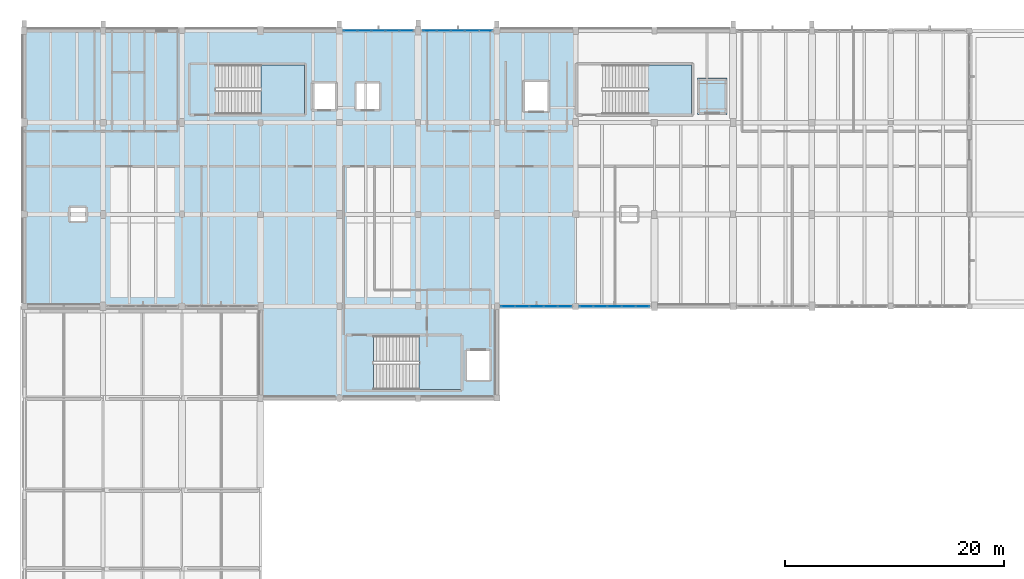
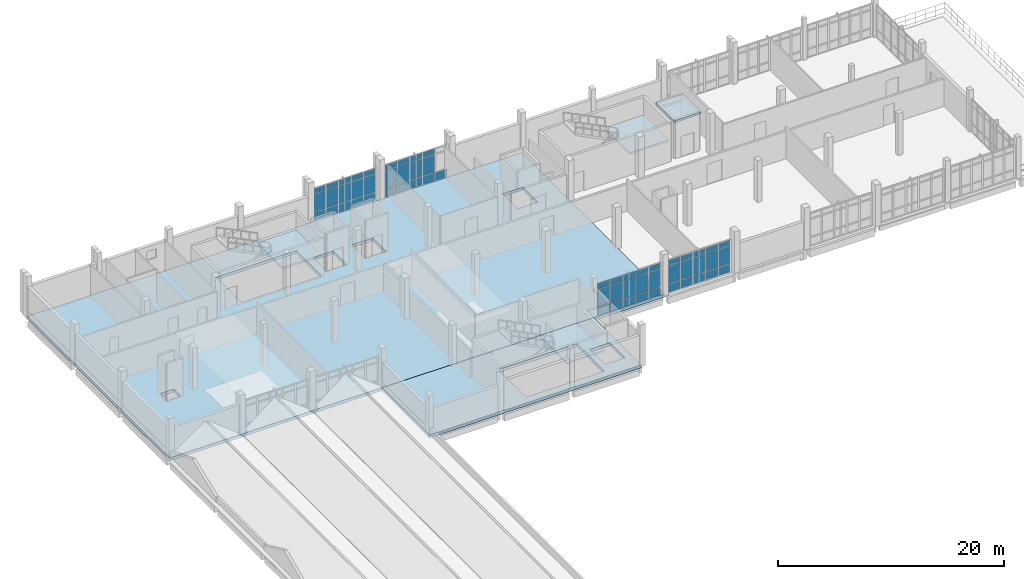
# One storey, part 28 of 41: 58 plates, 6 slabs, 7 elements without a shape of their own.
"""IFC4 building model written with IfcOpenShell, lengths in metres."""

from ifc_helpers import new_model, si_unit, direction, frame, origin, origin_2d, place, context, subcontext, project, spatial, polyline, rectangle, outline, extrude, material, layer, layer_set, type_object, element, aggregate, save


model = new_model("IFC4")

# Units and contexts
model_context = context("Model", 3, precision=1e-05, world=origin(), true_north=direction((0.0, 1.0)))
body_context = subcontext(model_context, "Body", "Model", "MODEL_VIEW")
ifc_project = project(units=[si_unit("LENGTHUNIT", "METRE"), si_unit("AREAUNIT", "SQUARE_METRE"), si_unit("VOLUMEUNIT", "CUBIC_METRE"), si_unit("PLANEANGLEUNIT", "RADIAN"), si_unit("MASSUNIT", "GRAM", prefix="KILO")], contexts=[model_context])

# Site, building, storey
site_placement = place(None, origin())
site = spatial("IfcSite", under=ifc_project, at=site_placement, CompositionType="ELEMENT")
building_placement = place(site_placement, origin())
building = spatial("IfcBuilding", under=site, at=building_placement, Name="Kalluvel Institute of Natural Sciences", CompositionType="ELEMENT")
storey_placement = place(building_placement, frame((0.0, 0.0, 32.39990234375)))
storey = spatial("IfcBuildingStorey", under=building, at=storey_placement, Name="L07", CompositionType="ELEMENT", Elevation=32.39990234375)

# Curtain wall, plates
ifc_material_1 = material(Name="Aluminium AW-6063 T6", Category="aluminium")
curtain_wall_type = type_object("IfcCurtainWallType", Name="CW-WET-45", PredefinedType="USERDEFINED", material=ifc_material_1)
curtain_wall_1_placement = place(storey_placement, origin())
curtain_wall_1 = element("IfcCurtainWall", 1, at=curtain_wall_1_placement, inside=storey, type_object=curtain_wall_type, Name="L07 Gothic lancet curtain wall CWA-L07-X432-Y1280", ObjectType="UNITISED LANCET FACADE", PredefinedType="USERDEFINED")
ifc_material_2 = material(Name="Solar-Control Low-E Laminated Glass", Category="glass")
ifc_layer_1 = layer(ifc_material_2, 0.031982421875)
ifc_layer_set_1 = layer_set([ifc_layer_1], Name="Solar-Control Low-E Laminated Glass")
plate_type = type_object("IfcPlateType", Name="CWP-DGU-32", PredefinedType="CURTAIN_PANEL", material=ifc_layer_set_1)
plate_1_placement = place(storey_placement, frame((43.808837890625, 128.0, 0.065185546875), z_axis=(0.0, 0.0, 1.0), x_axis=(1.0, 0.0, 0.0)))
plate_1 = element("IfcPlate", 2, at=plate_1_placement, type_object=plate_type, Name="CW-01 panel 1.1", PredefinedType="CURTAIN_PANEL", context=body_context, shape_type="SweptSolid", body=[
    extrude(rectangle(XDim=1.1875, YDim=0.031982421875, at=origin_2d()), origin(), (0.0, 0.0, 1.0), 0.8525390625),
])
plate_2_placement = place(storey_placement, frame((43.808837890625, 128.0, 0.982666015625), z_axis=(0.0, 0.0, 1.0), x_axis=(1.0, 0.0, 0.0)))
plate_2 = element("IfcPlate", 3, at=plate_2_placement, type_object=plate_type, Name="CW-01 panel 1.2", PredefinedType="CURTAIN_PANEL", context=body_context, shape_type="SweptSolid", body=[
    extrude(rectangle(XDim=1.1875, YDim=0.031982421875, at=origin_2d()), origin(), (0.0, 0.0, 1.0), 1.9150390625),
])
plate_3_placement = place(storey_placement, frame((43.808837890625, 128.0, 2.96240234375), z_axis=(0.0, 0.0, 1.0), x_axis=(1.0, 0.0, 0.0)))
plate_3 = element("IfcPlate", 4, at=plate_3_placement, type_object=plate_type, Name="CW-01 panel 1.3", PredefinedType="CURTAIN_PANEL", context=body_context, shape_type="SweptSolid", body=[
    extrude(rectangle(XDim=1.1875, YDim=0.031982421875, at=origin_2d()), origin(), (0.0, 0.0, 1.0), 0.552490234375),
])
plate_4_placement = place(storey_placement, frame((45.077392578125, 128.0, 0.065185546875), z_axis=(0.0, 0.0, 1.0), x_axis=(1.0, 0.0, 0.0)))
plate_4 = element("IfcPlate", 5, at=plate_4_placement, type_object=plate_type, Name="CW-01 panel 2.1", PredefinedType="CURTAIN_PANEL", context=body_context, shape_type="SweptSolid", body=[
    extrude(rectangle(XDim=1.219970703125, YDim=0.031982421875, at=origin_2d()), origin(), (0.0, 0.0, 1.0), 0.8525390625),
])
plate_5_placement = place(storey_placement, frame((45.077392578125, 128.0, 0.982666015625), z_axis=(0.0, 0.0, 1.0), x_axis=(1.0, 0.0, 0.0)))
plate_5 = element("IfcPlate", 6, at=plate_5_placement, type_object=plate_type, Name="CW-01 panel 2.2", PredefinedType="CURTAIN_PANEL", context=body_context, shape_type="SweptSolid", body=[
    extrude(rectangle(XDim=1.219970703125, YDim=0.031982421875, at=origin_2d()), origin(), (0.0, 0.0, 1.0), 1.9150390625),
])
plate_6_placement = place(storey_placement, frame((45.077392578125, 128.0, 2.96240234375), z_axis=(0.0, 0.0, 1.0), x_axis=(1.0, 0.0, 0.0)))
plate_6 = element("IfcPlate", 7, at=plate_6_placement, type_object=plate_type, Name="CW-01 panel 2.3", PredefinedType="CURTAIN_PANEL", context=body_context, shape_type="SweptSolid", body=[
    extrude(rectangle(XDim=1.219970703125, YDim=0.031982421875, at=origin_2d()), origin(), (0.0, 0.0, 1.0), 0.552490234375),
])
plate_7_placement = place(storey_placement, frame((46.362548828125, 128.0, 0.065185546875), z_axis=(0.0, 0.0, 1.0), x_axis=(1.0, 0.0, 0.0)))
plate_7 = element("IfcPlate", 8, at=plate_7_placement, type_object=plate_type, Name="CW-01 panel 3.1", PredefinedType="CURTAIN_PANEL", context=body_context, shape_type="SweptSolid", body=[
    extrude(rectangle(XDim=1.219970703125, YDim=0.031982421875, at=origin_2d()), origin(), (0.0, 0.0, 1.0), 0.8525390625),
])
plate_8_placement = place(storey_placement, frame((46.362548828125, 128.0, 0.982666015625), z_axis=(0.0, 0.0, 1.0), x_axis=(1.0, 0.0, 0.0)))
plate_8 = element("IfcPlate", 9, at=plate_8_placement, type_object=plate_type, Name="CW-01 panel 3.2", PredefinedType="CURTAIN_PANEL", context=body_context, shape_type="SweptSolid", body=[
    extrude(rectangle(XDim=1.219970703125, YDim=0.031982421875, at=origin_2d()), origin(), (0.0, 0.0, 1.0), 1.9150390625),
])
plate_9_placement = place(storey_placement, frame((46.362548828125, 128.0, 2.96240234375), z_axis=(0.0, 0.0, 1.0), x_axis=(1.0, 0.0, 0.0)))
plate_9 = element("IfcPlate", 10, at=plate_9_placement, type_object=plate_type, Name="CW-01 panel 3.3", PredefinedType="CURTAIN_PANEL", context=body_context, shape_type="SweptSolid", body=[
    extrude(rectangle(XDim=1.219970703125, YDim=0.031982421875, at=origin_2d()), origin(), (0.0, 0.0, 1.0), 0.552490234375),
])
plate_10_placement = place(storey_placement, frame((47.6474609375, 128.0, 0.065185546875), z_axis=(0.0, 0.0, 1.0), x_axis=(1.0, 0.0, 0.0)))
plate_10 = element("IfcPlate", 11, at=plate_10_placement, type_object=plate_type, Name="CW-01 panel 4.1", PredefinedType="CURTAIN_PANEL", context=body_context, shape_type="SweptSolid", body=[
    extrude(rectangle(XDim=1.219970703125, YDim=0.031982421875, at=origin_2d()), origin(), (0.0, 0.0, 1.0), 0.8525390625),
])
plate_11_placement = place(storey_placement, frame((47.6474609375, 128.0, 0.982666015625), z_axis=(0.0, 0.0, 1.0), x_axis=(1.0, 0.0, 0.0)))
plate_11 = element("IfcPlate", 12, at=plate_11_placement, type_object=plate_type, Name="CW-01 panel 4.2", PredefinedType="CURTAIN_PANEL", context=body_context, shape_type="SweptSolid", body=[
    extrude(rectangle(XDim=1.219970703125, YDim=0.031982421875, at=origin_2d()), origin(), (0.0, 0.0, 1.0), 1.9150390625),
])
plate_12_placement = place(storey_placement, frame((47.6474609375, 128.0, 2.96240234375), z_axis=(0.0, 0.0, 1.0), x_axis=(1.0, 0.0, 0.0)))
plate_12 = element("IfcPlate", 13, at=plate_12_placement, type_object=plate_type, Name="CW-01 panel 4.3", PredefinedType="CURTAIN_PANEL", context=body_context, shape_type="SweptSolid", body=[
    extrude(rectangle(XDim=1.219970703125, YDim=0.031982421875, at=origin_2d()), origin(), (0.0, 0.0, 1.0), 0.552490234375),
])
plate_13_placement = place(storey_placement, frame((48.916259765625, 128.0, 0.065185546875), z_axis=(0.0, 0.0, 1.0), x_axis=(1.0, 0.0, 0.0)))
plate_13 = element("IfcPlate", 14, at=plate_13_placement, type_object=plate_type, Name="CW-01 panel 5.1", PredefinedType="CURTAIN_PANEL", context=body_context, shape_type="SweptSolid", body=[
    extrude(rectangle(XDim=1.1875, YDim=0.031982421875, at=origin_2d()), origin(), (0.0, 0.0, 1.0), 0.8525390625),
])
plate_14_placement = place(storey_placement, frame((48.916259765625, 128.0, 0.982666015625), z_axis=(0.0, 0.0, 1.0), x_axis=(1.0, 0.0, 0.0)))
plate_14 = element("IfcPlate", 15, at=plate_14_placement, type_object=plate_type, Name="CW-01 panel 5.2", PredefinedType="CURTAIN_PANEL", context=body_context, shape_type="SweptSolid", body=[
    extrude(rectangle(XDim=1.1875, YDim=0.031982421875, at=origin_2d()), origin(), (0.0, 0.0, 1.0), 1.9150390625),
])
plate_15_placement = place(storey_placement, frame((48.916259765625, 128.0, 2.96240234375), z_axis=(0.0, 0.0, 1.0), x_axis=(1.0, 0.0, 0.0)))
plate_15 = element("IfcPlate", 16, at=plate_15_placement, type_object=plate_type, Name="CW-01 panel 5.3", PredefinedType="CURTAIN_PANEL", context=body_context, shape_type="SweptSolid", body=[
    extrude(rectangle(XDim=1.1875, YDim=0.031982421875, at=origin_2d()), origin(), (0.0, 0.0, 1.0), 0.552490234375),
])
aggregate(curtain_wall_1, [plate_1, plate_2, plate_3, plate_4, plate_5, plate_6, plate_7, plate_8, plate_9, plate_10, plate_11, plate_12, plate_13, plate_14, plate_15])

curtain_wall_2_placement = place(storey_placement, origin())
curtain_wall_2 = element("IfcCurtainWall", 17, at=curtain_wall_2_placement, inside=storey, type_object=curtain_wall_type, Name="L07 Gothic lancet curtain wall CWA-L07-X504-Y1280", ObjectType="UNITISED LANCET FACADE", PredefinedType="USERDEFINED")
plate_16_placement = place(storey_placement, frame((51.083740234375, 128.0, 0.065185546875), z_axis=(0.0, 0.0, 1.0), x_axis=(1.0, 0.0, 0.0)))
plate_16 = element("IfcPlate", 18, at=plate_16_placement, type_object=plate_type, Name="CW-01 panel 1.1", PredefinedType="CURTAIN_PANEL", context=body_context, shape_type="SweptSolid", body=[
    extrude(rectangle(XDim=1.1875, YDim=0.031982421875, at=origin_2d()), origin(), (0.0, 0.0, 1.0), 0.8525390625),
])
plate_17_placement = place(storey_placement, frame((51.083740234375, 128.0, 0.982666015625), z_axis=(0.0, 0.0, 1.0), x_axis=(1.0, 0.0, 0.0)))
plate_17 = element("IfcPlate", 19, at=plate_17_placement, type_object=plate_type, Name="CW-01 panel 1.2", PredefinedType="CURTAIN_PANEL", context=body_context, shape_type="SweptSolid", body=[
    extrude(rectangle(XDim=1.1875, YDim=0.031982421875, at=origin_2d()), origin(), (0.0, 0.0, 1.0), 1.9150390625),
])
plate_18_placement = place(storey_placement, frame((51.083740234375, 128.0, 2.96240234375), z_axis=(0.0, 0.0, 1.0), x_axis=(1.0, 0.0, 0.0)))
plate_18 = element("IfcPlate", 20, at=plate_18_placement, type_object=plate_type, Name="CW-01 panel 1.3", PredefinedType="CURTAIN_PANEL", context=body_context, shape_type="SweptSolid", body=[
    extrude(rectangle(XDim=1.1875, YDim=0.031982421875, at=origin_2d()), origin(), (0.0, 0.0, 1.0), 0.552490234375),
])
plate_19_placement = place(storey_placement, frame((52.3525390625, 128.0, 0.065185546875), z_axis=(0.0, 0.0, 1.0), x_axis=(1.0, 0.0, 0.0)))
plate_19 = element("IfcPlate", 21, at=plate_19_placement, type_object=plate_type, Name="CW-01 panel 2.1", PredefinedType="CURTAIN_PANEL", context=body_context, shape_type="SweptSolid", body=[
    extrude(rectangle(XDim=1.219970703125, YDim=0.031982421875, at=origin_2d()), origin(), (0.0, 0.0, 1.0), 0.8525390625),
])
plate_20_placement = place(storey_placement, frame((52.3525390625, 128.0, 0.982666015625), z_axis=(0.0, 0.0, 1.0), x_axis=(1.0, 0.0, 0.0)))
plate_20 = element("IfcPlate", 22, at=plate_20_placement, type_object=plate_type, Name="CW-01 panel 2.2", PredefinedType="CURTAIN_PANEL", context=body_context, shape_type="SweptSolid", body=[
    extrude(rectangle(XDim=1.219970703125, YDim=0.031982421875, at=origin_2d()), origin(), (0.0, 0.0, 1.0), 1.9150390625),
])
plate_21_placement = place(storey_placement, frame((52.3525390625, 128.0, 2.96240234375), z_axis=(0.0, 0.0, 1.0), x_axis=(1.0, 0.0, 0.0)))
plate_21 = element("IfcPlate", 23, at=plate_21_placement, type_object=plate_type, Name="CW-01 panel 2.3", PredefinedType="CURTAIN_PANEL", context=body_context, shape_type="SweptSolid", body=[
    extrude(rectangle(XDim=1.219970703125, YDim=0.031982421875, at=origin_2d()), origin(), (0.0, 0.0, 1.0), 0.552490234375),
])
plate_22_placement = place(storey_placement, frame((53.637451171875, 128.0, 0.065185546875), z_axis=(0.0, 0.0, 1.0), x_axis=(1.0, 0.0, 0.0)))
plate_22 = element("IfcPlate", 24, at=plate_22_placement, type_object=plate_type, Name="CW-01 panel 3.1", PredefinedType="CURTAIN_PANEL", context=body_context, shape_type="SweptSolid", body=[
    extrude(rectangle(XDim=1.219970703125, YDim=0.031982421875, at=origin_2d()), origin(), (0.0, 0.0, 1.0), 0.8525390625),
])
plate_23_placement = place(storey_placement, frame((53.637451171875, 128.0, 0.982666015625), z_axis=(0.0, 0.0, 1.0), x_axis=(1.0, 0.0, 0.0)))
plate_23 = element("IfcPlate", 25, at=plate_23_placement, type_object=plate_type, Name="CW-01 panel 3.2", PredefinedType="CURTAIN_PANEL", context=body_context, shape_type="SweptSolid", body=[
    extrude(rectangle(XDim=1.219970703125, YDim=0.031982421875, at=origin_2d()), origin(), (0.0, 0.0, 1.0), 1.9150390625),
])
plate_24_placement = place(storey_placement, frame((53.637451171875, 128.0, 2.96240234375), z_axis=(0.0, 0.0, 1.0), x_axis=(1.0, 0.0, 0.0)))
plate_24 = element("IfcPlate", 26, at=plate_24_placement, type_object=plate_type, Name="CW-01 panel 3.3", PredefinedType="CURTAIN_PANEL", context=body_context, shape_type="SweptSolid", body=[
    extrude(rectangle(XDim=1.219970703125, YDim=0.031982421875, at=origin_2d()), origin(), (0.0, 0.0, 1.0), 0.552490234375),
])
plate_25_placement = place(storey_placement, frame((54.922607421875, 128.0, 0.065185546875), z_axis=(0.0, 0.0, 1.0), x_axis=(1.0, 0.0, 0.0)))
plate_25 = element("IfcPlate", 27, at=plate_25_placement, type_object=plate_type, Name="CW-01 panel 4.1", PredefinedType="CURTAIN_PANEL", context=body_context, shape_type="SweptSolid", body=[
    extrude(rectangle(XDim=1.219970703125, YDim=0.031982421875, at=origin_2d()), origin(), (0.0, 0.0, 1.0), 0.8525390625),
])
plate_26_placement = place(storey_placement, frame((54.922607421875, 128.0, 0.982666015625), z_axis=(0.0, 0.0, 1.0), x_axis=(1.0, 0.0, 0.0)))
plate_26 = element("IfcPlate", 28, at=plate_26_placement, type_object=plate_type, Name="CW-01 panel 4.2", PredefinedType="CURTAIN_PANEL", context=body_context, shape_type="SweptSolid", body=[
    extrude(rectangle(XDim=1.219970703125, YDim=0.031982421875, at=origin_2d()), origin(), (0.0, 0.0, 1.0), 1.9150390625),
])
plate_27_placement = place(storey_placement, frame((54.922607421875, 128.0, 2.96240234375), z_axis=(0.0, 0.0, 1.0), x_axis=(1.0, 0.0, 0.0)))
plate_27 = element("IfcPlate", 29, at=plate_27_placement, type_object=plate_type, Name="CW-01 panel 4.3", PredefinedType="CURTAIN_PANEL", context=body_context, shape_type="SweptSolid", body=[
    extrude(rectangle(XDim=1.219970703125, YDim=0.031982421875, at=origin_2d()), origin(), (0.0, 0.0, 1.0), 0.552490234375),
])
plate_28_placement = place(storey_placement, frame((56.191162109375, 128.0, 0.065185546875), z_axis=(0.0, 0.0, 1.0), x_axis=(1.0, 0.0, 0.0)))
plate_28 = element("IfcPlate", 30, at=plate_28_placement, type_object=plate_type, Name="CW-01 panel 5.1", PredefinedType="CURTAIN_PANEL", context=body_context, shape_type="SweptSolid", body=[
    extrude(rectangle(XDim=1.1875, YDim=0.031982421875, at=origin_2d()), origin(), (0.0, 0.0, 1.0), 0.8525390625),
])
aggregate(curtain_wall_2, [plate_16, plate_17, plate_18, plate_19, plate_20, plate_21, plate_22, plate_23, plate_24, plate_25, plate_26, plate_27, plate_28])

curtain_wall_3_placement = place(storey_placement, origin())
curtain_wall_3 = element("IfcCurtainWall", 31, at=curtain_wall_3_placement, inside=storey, type_object=curtain_wall_type, Name="L07 Gothic lancet curtain wall CWA-L07-X576-Y1028", ObjectType="UNITISED LANCET FACADE", PredefinedType="USERDEFINED")
plate_29_placement = place(storey_placement, frame((58.21875, 102.800048828125, 0.065185546875), z_axis=(0.0, 0.0, 1.0), x_axis=(1.0, 0.0, 0.0)))
plate_29 = element("IfcPlate", 32, at=plate_29_placement, type_object=plate_type, Name="CW-01 panel 1.1", PredefinedType="CURTAIN_PANEL", context=body_context, shape_type="SweptSolid", body=[
    extrude(rectangle(XDim=1.20751953125, YDim=0.031982421875, at=origin_2d()), origin(), (0.0, 0.0, 1.0), 0.8525390625),
])
plate_30_placement = place(storey_placement, frame((58.21875, 102.800048828125, 0.982666015625), z_axis=(0.0, 0.0, 1.0), x_axis=(1.0, 0.0, 0.0)))
plate_30 = element("IfcPlate", 33, at=plate_30_placement, type_object=plate_type, Name="CW-01 panel 1.2", PredefinedType="CURTAIN_PANEL", context=body_context, shape_type="SweptSolid", body=[
    extrude(rectangle(XDim=1.20751953125, YDim=0.031982421875, at=origin_2d()), origin(), (0.0, 0.0, 1.0), 1.9150390625),
])
plate_31_placement = place(storey_placement, frame((58.21875, 102.800048828125, 2.96240234375), z_axis=(0.0, 0.0, 1.0), x_axis=(1.0, 0.0, 0.0)))
plate_31 = element("IfcPlate", 34, at=plate_31_placement, type_object=plate_type, Name="CW-01 panel 1.3", PredefinedType="CURTAIN_PANEL", context=body_context, shape_type="SweptSolid", body=[
    extrude(rectangle(XDim=1.20751953125, YDim=0.031982421875, at=origin_2d()), origin(), (0.0, 0.0, 1.0), 0.552490234375),
])
plate_32_placement = place(storey_placement, frame((59.507568359375, 102.800048828125, 0.065185546875), z_axis=(0.0, 0.0, 1.0), x_axis=(1.0, 0.0, 0.0)))
plate_32 = element("IfcPlate", 35, at=plate_32_placement, type_object=plate_type, Name="CW-01 panel 2.1", PredefinedType="CURTAIN_PANEL", context=body_context, shape_type="SweptSolid", body=[
    extrude(rectangle(XDim=1.239990234375, YDim=0.031982421875, at=origin_2d()), origin(), (0.0, 0.0, 1.0), 0.8525390625),
])
plate_33_placement = place(storey_placement, frame((59.507568359375, 102.800048828125, 0.982666015625), z_axis=(0.0, 0.0, 1.0), x_axis=(1.0, 0.0, 0.0)))
plate_33 = element("IfcPlate", 36, at=plate_33_placement, type_object=plate_type, Name="CW-01 panel 2.2", PredefinedType="CURTAIN_PANEL", context=body_context, shape_type="SweptSolid", body=[
    extrude(rectangle(XDim=1.239990234375, YDim=0.031982421875, at=origin_2d()), origin(), (0.0, 0.0, 1.0), 1.9150390625),
])
plate_34_placement = place(storey_placement, frame((59.507568359375, 102.800048828125, 2.96240234375), z_axis=(0.0, 0.0, 1.0), x_axis=(1.0, 0.0, 0.0)))
plate_34 = element("IfcPlate", 37, at=plate_34_placement, type_object=plate_type, Name="CW-01 panel 2.3", PredefinedType="CURTAIN_PANEL", context=body_context, shape_type="SweptSolid", body=[
    extrude(rectangle(XDim=1.239990234375, YDim=0.031982421875, at=origin_2d()), origin(), (0.0, 0.0, 1.0), 0.552490234375),
])
plate_35_placement = place(storey_placement, frame((60.8125, 102.800048828125, 0.065185546875), z_axis=(0.0, 0.0, 1.0), x_axis=(1.0, 0.0, 0.0)))
plate_35 = element("IfcPlate", 38, at=plate_35_placement, type_object=plate_type, Name="CW-01 panel 3.1", PredefinedType="CURTAIN_PANEL", context=body_context, shape_type="SweptSolid", body=[
    extrude(rectangle(XDim=1.239990234375, YDim=0.031982421875, at=origin_2d()), origin(), (0.0, 0.0, 1.0), 0.8525390625),
])
plate_36_placement = place(storey_placement, frame((60.8125, 102.800048828125, 0.982666015625), z_axis=(0.0, 0.0, 1.0), x_axis=(1.0, 0.0, 0.0)))
plate_36 = element("IfcPlate", 39, at=plate_36_placement, type_object=plate_type, Name="CW-01 panel 3.2", PredefinedType="CURTAIN_PANEL", context=body_context, shape_type="SweptSolid", body=[
    extrude(rectangle(XDim=1.239990234375, YDim=0.031982421875, at=origin_2d()), origin(), (0.0, 0.0, 1.0), 1.9150390625),
])
plate_37_placement = place(storey_placement, frame((60.8125, 102.800048828125, 2.96240234375), z_axis=(0.0, 0.0, 1.0), x_axis=(1.0, 0.0, 0.0)))
plate_37 = element("IfcPlate", 40, at=plate_37_placement, type_object=plate_type, Name="CW-01 panel 3.3", PredefinedType="CURTAIN_PANEL", context=body_context, shape_type="SweptSolid", body=[
    extrude(rectangle(XDim=1.239990234375, YDim=0.031982421875, at=origin_2d()), origin(), (0.0, 0.0, 1.0), 0.552490234375),
])
plate_38_placement = place(storey_placement, frame((62.117431640625, 102.800048828125, 0.065185546875), z_axis=(0.0, 0.0, 1.0), x_axis=(1.0, 0.0, 0.0)))
plate_38 = element("IfcPlate", 41, at=plate_38_placement, type_object=plate_type, Name="CW-01 panel 4.1", PredefinedType="CURTAIN_PANEL", context=body_context, shape_type="SweptSolid", body=[
    extrude(rectangle(XDim=1.239990234375, YDim=0.031982421875, at=origin_2d()), origin(), (0.0, 0.0, 1.0), 0.8525390625),
])
plate_39_placement = place(storey_placement, frame((62.117431640625, 102.800048828125, 0.982666015625), z_axis=(0.0, 0.0, 1.0), x_axis=(1.0, 0.0, 0.0)))
plate_39 = element("IfcPlate", 42, at=plate_39_placement, type_object=plate_type, Name="CW-01 panel 4.2", PredefinedType="CURTAIN_PANEL", context=body_context, shape_type="SweptSolid", body=[
    extrude(rectangle(XDim=1.239990234375, YDim=0.031982421875, at=origin_2d()), origin(), (0.0, 0.0, 1.0), 1.9150390625),
])
plate_40_placement = place(storey_placement, frame((62.117431640625, 102.800048828125, 2.96240234375), z_axis=(0.0, 0.0, 1.0), x_axis=(1.0, 0.0, 0.0)))
plate_40 = element("IfcPlate", 43, at=plate_40_placement, type_object=plate_type, Name="CW-01 panel 4.3", PredefinedType="CURTAIN_PANEL", context=body_context, shape_type="SweptSolid", body=[
    extrude(rectangle(XDim=1.239990234375, YDim=0.031982421875, at=origin_2d()), origin(), (0.0, 0.0, 1.0), 0.552490234375),
])
plate_41_placement = place(storey_placement, frame((63.40625, 102.800048828125, 0.065185546875), z_axis=(0.0, 0.0, 1.0), x_axis=(1.0, 0.0, 0.0)))
plate_41 = element("IfcPlate", 44, at=plate_41_placement, type_object=plate_type, Name="CW-01 panel 5.1", PredefinedType="CURTAIN_PANEL", context=body_context, shape_type="SweptSolid", body=[
    extrude(rectangle(XDim=1.20751953125, YDim=0.031982421875, at=origin_2d()), origin(), (0.0, 0.0, 1.0), 0.8525390625),
])
plate_42_placement = place(storey_placement, frame((63.40625, 102.800048828125, 0.982666015625), z_axis=(0.0, 0.0, 1.0), x_axis=(1.0, 0.0, 0.0)))
plate_42 = element("IfcPlate", 45, at=plate_42_placement, type_object=plate_type, Name="CW-01 panel 5.2", PredefinedType="CURTAIN_PANEL", context=body_context, shape_type="SweptSolid", body=[
    extrude(rectangle(XDim=1.20751953125, YDim=0.031982421875, at=origin_2d()), origin(), (0.0, 0.0, 1.0), 1.9150390625),
])
plate_43_placement = place(storey_placement, frame((63.40625, 102.800048828125, 2.96240234375), z_axis=(0.0, 0.0, 1.0), x_axis=(1.0, 0.0, 0.0)))
plate_43 = element("IfcPlate", 46, at=plate_43_placement, type_object=plate_type, Name="CW-01 panel 5.3", PredefinedType="CURTAIN_PANEL", context=body_context, shape_type="SweptSolid", body=[
    extrude(rectangle(XDim=1.20751953125, YDim=0.031982421875, at=origin_2d()), origin(), (0.0, 0.0, 1.0), 0.552490234375),
])
aggregate(curtain_wall_3, [plate_29, plate_30, plate_31, plate_32, plate_33, plate_34, plate_35, plate_36, plate_37, plate_38, plate_39, plate_40, plate_41, plate_42, plate_43])

curtain_wall_4_placement = place(storey_placement, origin())
curtain_wall_4 = element("IfcCurtainWall", 47, at=curtain_wall_4_placement, inside=storey, type_object=curtain_wall_type, Name="L07 Gothic lancet curtain wall CWA-L07-X647-Y1028", ObjectType="UNITISED LANCET FACADE", PredefinedType="USERDEFINED")
plate_44_placement = place(storey_placement, frame((65.38623046875, 102.800048828125, 0.065185546875), z_axis=(0.0, 0.0, 1.0), x_axis=(1.0, 0.0, 0.0)))
plate_44 = element("IfcPlate", 48, at=plate_44_placement, type_object=plate_type, Name="CW-01 panel 1.1", PredefinedType="CURTAIN_PANEL", context=body_context, shape_type="SweptSolid", body=[
    extrude(rectangle(XDim=1.1923828125, YDim=0.031982421875, at=origin_2d()), origin(), (0.0, 0.0, 1.0), 0.8525390625),
])
plate_45_placement = place(storey_placement, frame((65.38623046875, 102.800048828125, 0.982666015625), z_axis=(0.0, 0.0, 1.0), x_axis=(1.0, 0.0, 0.0)))
plate_45 = element("IfcPlate", 49, at=plate_45_placement, type_object=plate_type, Name="CW-01 panel 1.2", PredefinedType="CURTAIN_PANEL", context=body_context, shape_type="SweptSolid", body=[
    extrude(rectangle(XDim=1.1923828125, YDim=0.031982421875, at=origin_2d()), origin(), (0.0, 0.0, 1.0), 1.9150390625),
])
plate_46_placement = place(storey_placement, frame((65.38623046875, 102.800048828125, 2.96240234375), z_axis=(0.0, 0.0, 1.0), x_axis=(1.0, 0.0, 0.0)))
plate_46 = element("IfcPlate", 50, at=plate_46_placement, type_object=plate_type, Name="CW-01 panel 1.3", PredefinedType="CURTAIN_PANEL", context=body_context, shape_type="SweptSolid", body=[
    extrude(rectangle(XDim=1.1923828125, YDim=0.031982421875, at=origin_2d()), origin(), (0.0, 0.0, 1.0), 0.552490234375),
])
plate_47_placement = place(storey_placement, frame((66.659912109375, 102.800048828125, 0.065185546875), z_axis=(0.0, 0.0, 1.0), x_axis=(1.0, 0.0, 0.0)))
plate_47 = element("IfcPlate", 51, at=plate_47_placement, type_object=plate_type, Name="CW-01 panel 2.1", PredefinedType="CURTAIN_PANEL", context=body_context, shape_type="SweptSolid", body=[
    extrude(rectangle(XDim=1.22509765625, YDim=0.031982421875, at=origin_2d()), origin(), (0.0, 0.0, 1.0), 0.8525390625),
])
plate_48_placement = place(storey_placement, frame((66.659912109375, 102.800048828125, 0.982666015625), z_axis=(0.0, 0.0, 1.0), x_axis=(1.0, 0.0, 0.0)))
plate_48 = element("IfcPlate", 52, at=plate_48_placement, type_object=plate_type, Name="CW-01 panel 2.2", PredefinedType="CURTAIN_PANEL", context=body_context, shape_type="SweptSolid", body=[
    extrude(rectangle(XDim=1.22509765625, YDim=0.031982421875, at=origin_2d()), origin(), (0.0, 0.0, 1.0), 1.9150390625),
])
plate_49_placement = place(storey_placement, frame((66.659912109375, 102.800048828125, 2.96240234375), z_axis=(0.0, 0.0, 1.0), x_axis=(1.0, 0.0, 0.0)))
plate_49 = element("IfcPlate", 53, at=plate_49_placement, type_object=plate_type, Name="CW-01 panel 2.3", PredefinedType="CURTAIN_PANEL", context=body_context, shape_type="SweptSolid", body=[
    extrude(rectangle(XDim=1.22509765625, YDim=0.031982421875, at=origin_2d()), origin(), (0.0, 0.0, 1.0), 0.552490234375),
])
plate_50_placement = place(storey_placement, frame((67.949951171875, 102.800048828125, 0.065185546875), z_axis=(0.0, 0.0, 1.0), x_axis=(1.0, 0.0, 0.0)))
plate_50 = element("IfcPlate", 54, at=plate_50_placement, type_object=plate_type, Name="CW-01 panel 3.1", PredefinedType="CURTAIN_PANEL", context=body_context, shape_type="SweptSolid", body=[
    extrude(rectangle(XDim=1.22509765625, YDim=0.031982421875, at=origin_2d()), origin(), (0.0, 0.0, 1.0), 0.8525390625),
])
plate_51_placement = place(storey_placement, frame((67.949951171875, 102.800048828125, 0.982666015625), z_axis=(0.0, 0.0, 1.0), x_axis=(1.0, 0.0, 0.0)))
plate_51 = element("IfcPlate", 55, at=plate_51_placement, type_object=plate_type, Name="CW-01 panel 3.2", PredefinedType="CURTAIN_PANEL", context=body_context, shape_type="SweptSolid", body=[
    extrude(rectangle(XDim=1.22509765625, YDim=0.031982421875, at=origin_2d()), origin(), (0.0, 0.0, 1.0), 1.9150390625),
])
plate_52_placement = place(storey_placement, frame((67.949951171875, 102.800048828125, 2.96240234375), z_axis=(0.0, 0.0, 1.0), x_axis=(1.0, 0.0, 0.0)))
plate_52 = element("IfcPlate", 56, at=plate_52_placement, type_object=plate_type, Name="CW-01 panel 3.3", PredefinedType="CURTAIN_PANEL", context=body_context, shape_type="SweptSolid", body=[
    extrude(rectangle(XDim=1.22509765625, YDim=0.031982421875, at=origin_2d()), origin(), (0.0, 0.0, 1.0), 0.552490234375),
])
plate_53_placement = place(storey_placement, frame((69.239990234375, 102.800048828125, 0.065185546875), z_axis=(0.0, 0.0, 1.0), x_axis=(1.0, 0.0, 0.0)))
plate_53 = element("IfcPlate", 57, at=plate_53_placement, type_object=plate_type, Name="CW-01 panel 4.1", PredefinedType="CURTAIN_PANEL", context=body_context, shape_type="SweptSolid", body=[
    extrude(rectangle(XDim=1.22509765625, YDim=0.031982421875, at=origin_2d()), origin(), (0.0, 0.0, 1.0), 0.8525390625),
])
plate_54_placement = place(storey_placement, frame((69.239990234375, 102.800048828125, 0.982666015625), z_axis=(0.0, 0.0, 1.0), x_axis=(1.0, 0.0, 0.0)))
plate_54 = element("IfcPlate", 58, at=plate_54_placement, type_object=plate_type, Name="CW-01 panel 4.2", PredefinedType="CURTAIN_PANEL", context=body_context, shape_type="SweptSolid", body=[
    extrude(rectangle(XDim=1.22509765625, YDim=0.031982421875, at=origin_2d()), origin(), (0.0, 0.0, 1.0), 1.9150390625),
])
plate_55_placement = place(storey_placement, frame((69.239990234375, 102.800048828125, 2.96240234375), z_axis=(0.0, 0.0, 1.0), x_axis=(1.0, 0.0, 0.0)))
plate_55 = element("IfcPlate", 59, at=plate_55_placement, type_object=plate_type, Name="CW-01 panel 4.3", PredefinedType="CURTAIN_PANEL", context=body_context, shape_type="SweptSolid", body=[
    extrude(rectangle(XDim=1.22509765625, YDim=0.031982421875, at=origin_2d()), origin(), (0.0, 0.0, 1.0), 0.552490234375),
])
plate_56_placement = place(storey_placement, frame((70.513671875, 102.800048828125, 0.065185546875), z_axis=(0.0, 0.0, 1.0), x_axis=(1.0, 0.0, 0.0)))
plate_56 = element("IfcPlate", 60, at=plate_56_placement, type_object=plate_type, Name="CW-01 panel 5.1", PredefinedType="CURTAIN_PANEL", context=body_context, shape_type="SweptSolid", body=[
    extrude(rectangle(XDim=1.1923828125, YDim=0.031982421875, at=origin_2d()), origin(), (0.0, 0.0, 1.0), 0.8525390625),
])
plate_57_placement = place(storey_placement, frame((70.513671875, 102.800048828125, 0.982666015625), z_axis=(0.0, 0.0, 1.0), x_axis=(1.0, 0.0, 0.0)))
plate_57 = element("IfcPlate", 61, at=plate_57_placement, type_object=plate_type, Name="CW-01 panel 5.2", PredefinedType="CURTAIN_PANEL", context=body_context, shape_type="SweptSolid", body=[
    extrude(rectangle(XDim=1.1923828125, YDim=0.031982421875, at=origin_2d()), origin(), (0.0, 0.0, 1.0), 1.9150390625),
])
plate_58_placement = place(storey_placement, frame((70.513671875, 102.800048828125, 2.96240234375), z_axis=(0.0, 0.0, 1.0), x_axis=(1.0, 0.0, 0.0)))
plate_58 = element("IfcPlate", 62, at=plate_58_placement, type_object=plate_type, Name="CW-01 panel 5.3", PredefinedType="CURTAIN_PANEL", context=body_context, shape_type="SweptSolid", body=[
    extrude(rectangle(XDim=1.1923828125, YDim=0.031982421875, at=origin_2d()), origin(), (0.0, 0.0, 1.0), 0.552490234375),
])
aggregate(curtain_wall_4, [plate_44, plate_45, plate_46, plate_47, plate_48, plate_49, plate_50, plate_51, plate_52, plate_53, plate_54, plate_55, plate_56, plate_57, plate_58])

# Slabs
ifc_material_3 = material(Name="Concrete M40", Category="concrete")
ifc_layer_2 = layer(ifc_material_3, 0.320068359375)
ifc_layer_set_2 = layer_set([ifc_layer_2], Name="Concrete M40")
slab_type_1 = type_object("IfcSlabType", Name="SLB-WET-320", PredefinedType="FLOOR", material=ifc_layer_set_2)
slab_1_placement = place(storey_placement, frame((0.0, 0.0, -0.31982421875)))
element("IfcSlab", 63, at=slab_1_placement, inside=storey, type_object=slab_type_1, Name="L07 Wet Laboratory Waffle Floor Slab W", PredefinedType="FLOOR", context=body_context, shape_type="SweptSolid", body=[
    extrude(outline(polyline([(14.0, 102.800048828125), (64.39990234375, 102.800048828125), (64.39990234375, 128.0), (14.0, 128.0), (14.0, 102.800048828125)]), holes=[polyline([(61.820068359375, 120.679931640625), (59.780029296875, 120.679931640625), (59.780029296875, 123.320068359375), (61.820068359375, 123.320068359375), (61.820068359375, 120.679931640625)]), polyline([(46.419921875, 123.169921875), (46.419921875, 120.830078125), (44.3798828125, 120.830078125), (44.3798828125, 123.169921875), (46.419921875, 123.169921875)]), polyline([(42.419921875, 123.169921875), (42.419921875, 120.830078125), (40.3798828125, 120.830078125), (40.3798828125, 123.169921875), (42.419921875, 123.169921875)]), polyline([(39.60009765625, 120.39990234375), (31.468017578125, 120.39990234375), (31.468017578125, 124.8701171875), (39.60009765625, 124.8701171875), (39.60009765625, 120.39990234375)]), polyline([(19.60009765625, 111.800048828125), (19.60009765625, 110.60009765625), (18.199951171875, 110.60009765625), (18.199951171875, 111.800048828125), (19.60009765625, 111.800048828125)])]), origin(), (0.0, 0.0, 1.0), 0.31982421875),
])
slab_2_placement = place(storey_placement, frame((0.0, 0.0, -0.31982421875)))
element("IfcSlab", 64, at=slab_2_placement, inside=storey, type_object=slab_type_1, Name="L07 Fire-Tower Knuckle Lobby Slab", PredefinedType="FLOOR", context=body_context, shape_type="SweptSolid", body=[
    extrude(outline(polyline([(35.60009765625, 94.39990234375), (57.199951171875, 94.39990234375), (57.199951171875, 102.800048828125), (35.60009765625, 102.800048828125), (35.60009765625, 94.39990234375)]), holes=[polyline([(54.47998046875, 98.719970703125), (56.52001953125, 98.719970703125), (56.52001953125, 96.080078125), (54.47998046875, 96.080078125), (54.47998046875, 98.719970703125)]), polyline([(45.91796875, 100.070068359375), (53.89990234375, 100.070068359375), (53.89990234375, 95.199951171875), (45.91796875, 95.199951171875), (45.91796875, 100.070068359375)])]), origin(), (0.0, 0.0, 1.0), 0.31982421875),
])
slab_3_placement = place(storey_placement, frame((0.0, 0.0, 3.920166015625)))
element("IfcSlab", 65, at=slab_3_placement, inside=storey, type_object=slab_type_1, Name="LF4 shaft overrun cap slab", PredefinedType="FLOOR", context=body_context, shape_type="SweptSolid", body=[
    extrude(outline(polyline([(75.5400390625, 120.340087890625), (78.260009765625, 120.340087890625), (78.260009765625, 123.659912109375), (75.5400390625, 123.659912109375), (75.5400390625, 120.340087890625)])), origin(), (0.0, 0.0, 1.0), 0.219970703125),
])

# Stair, slab
stair_type_1 = type_object("IfcStairType", Name="STR-ST12-45", PredefinedType="HALF_TURN_STAIR", material=ifc_material_3)
stair_1_placement = place(storey_placement, origin())
stair_1 = element("IfcStair", 66, at=stair_1_placement, inside=storey, type_object=stair_type_1, Name="L07 Wet Wing West Protected Exit Stair ST1", PredefinedType="HALF_TURN_STAIR")
ifc_layer_3 = layer(ifc_material_3, 0.199951171875)
ifc_layer_set_3 = layer_set([ifc_layer_3], Name="Concrete M40")
slab_type_2 = type_object("IfcSlabType", Name="SLD-ST12", PredefinedType="LANDING", material=ifc_layer_set_3)
slab_4_placement = place(storey_placement, frame((0.0, 0.0, 2.050048828125)))
slab_4 = element("IfcSlab", 67, at=slab_4_placement, type_object=slab_type_2, Name="S1-45 landing 1", PredefinedType="LANDING", context=body_context, shape_type="SweptSolid", body=[
    extrude(outline(polyline([(35.632080078125, 120.39990234375), (39.60009765625, 120.39990234375), (39.60009765625, 124.8701171875), (35.632080078125, 124.8701171875), (35.632080078125, 120.39990234375)])), origin(), (0.0, 0.0, 1.0), 0.199951171875),
])
aggregate(stair_1, [slab_4])

stair_2_placement = place(storey_placement, origin())
stair_2 = element("IfcStair", 68, at=stair_2_placement, inside=storey, type_object=stair_type_1, Name="L07 Wet Wing East Protected Exit Stair ST2", PredefinedType="HALF_TURN_STAIR")
slab_5_placement = place(storey_placement, frame((0.0, 0.0, 2.050048828125)))
slab_5 = element("IfcSlab", 69, at=slab_5_placement, type_object=slab_type_2, Name="S1-45 landing 1", PredefinedType="LANDING", context=body_context, shape_type="SweptSolid", body=[
    extrude(outline(polyline([(71.031982421875, 120.39990234375), (75.0, 120.39990234375), (75.0, 124.8701171875), (71.031982421875, 124.8701171875), (71.031982421875, 120.39990234375)])), origin(), (0.0, 0.0, 1.0), 0.199951171875),
])
aggregate(stair_2, [slab_5])

stair_type_2 = type_object("IfcStairType", Name="STR-ST3-45", PredefinedType="HALF_TURN_STAIR", material=ifc_material_3)
stair_3_placement = place(storey_placement, origin())
stair_3 = element("IfcStair", 70, at=stair_3_placement, inside=storey, type_object=stair_type_2, Name="L07 Central Fire-Tower Protected Stair ST3", PredefinedType="HALF_TURN_STAIR")
ifc_layer_4 = layer(ifc_material_3, 0.199951171875)
ifc_layer_set_4 = layer_set([ifc_layer_4], Name="Concrete M40")
slab_type_3 = type_object("IfcSlabType", Name="SLD-ST3", PredefinedType="LANDING", material=ifc_layer_set_4)
slab_6_placement = place(storey_placement, frame((0.0, 0.0, 2.050048828125)))
slab_6 = element("IfcSlab", 71, at=slab_6_placement, type_object=slab_type_3, Name="S3-45 landing 1", PredefinedType="LANDING", context=body_context, shape_type="SweptSolid", body=[
    extrude(outline(polyline([(50.08203125, 95.199951171875), (53.89990234375, 95.199951171875), (53.89990234375, 100.070068359375), (50.08203125, 100.070068359375), (50.08203125, 95.199951171875)])), origin(), (0.0, 0.0, 1.0), 0.199951171875),
])
aggregate(stair_3, [slab_6])

save(model, "model.ifc")
